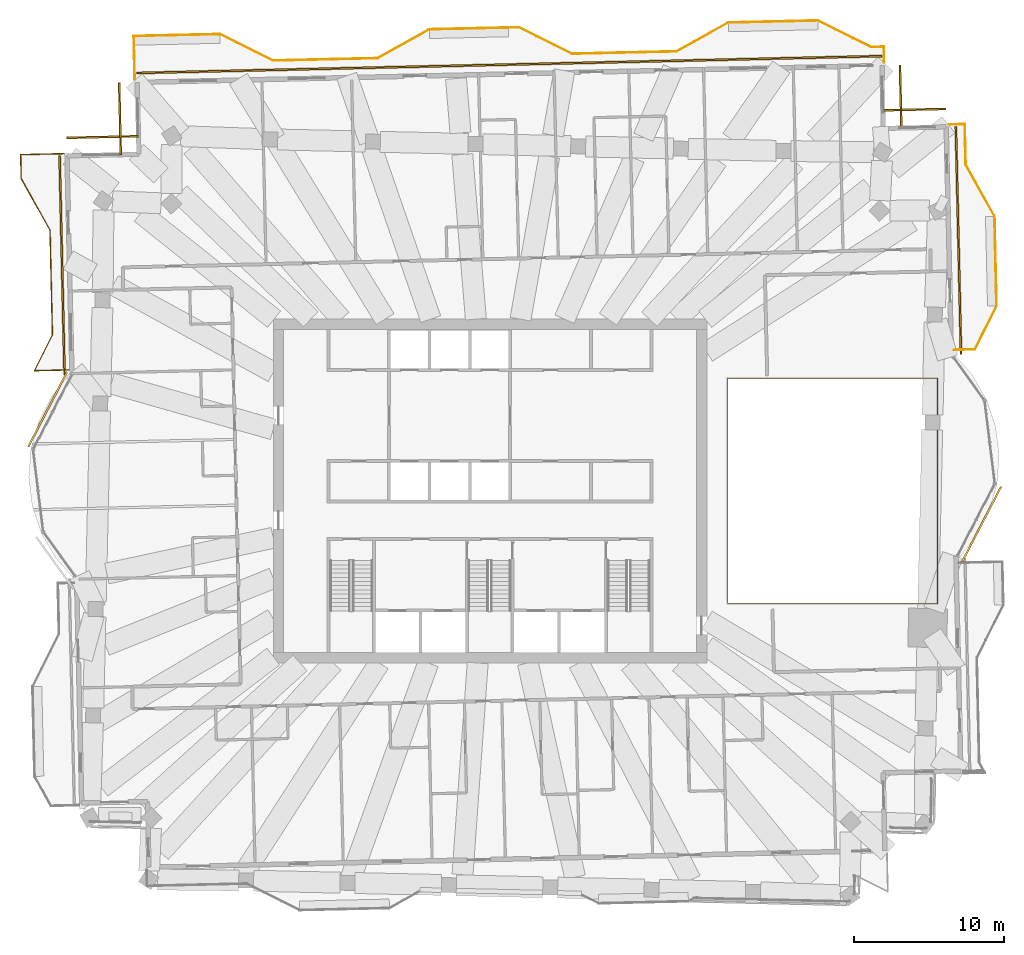
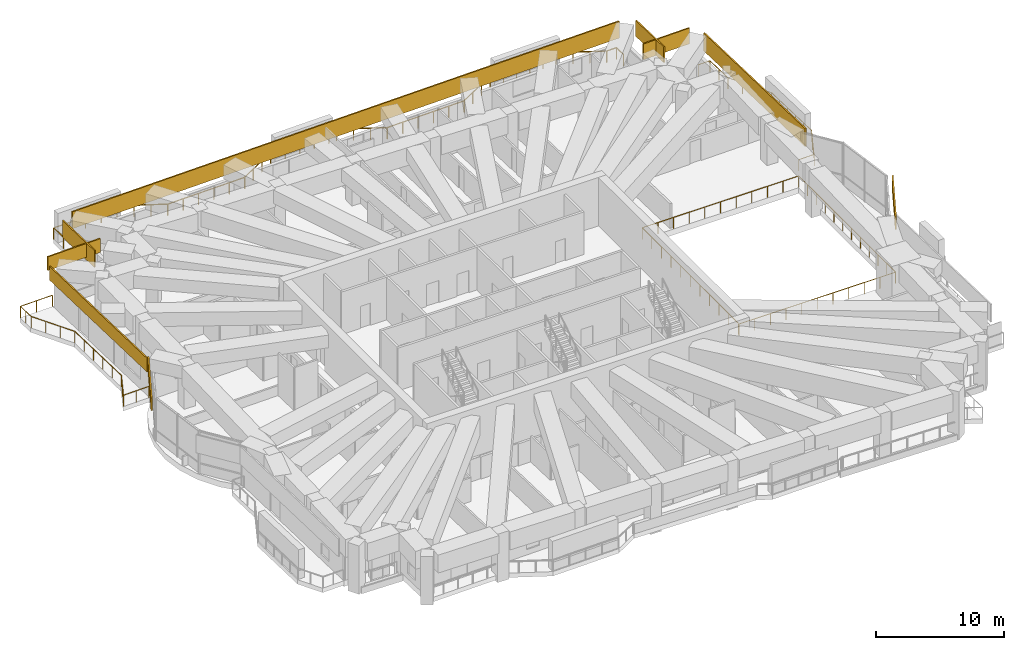
# One storey, part 21 of 21: 9 coverings, 4 railings.
"""IFC4 building model written with IfcOpenShell, lengths in metres."""

from ifc_helpers import new_model, si_unit, direction, frame, frame_2d, origin, origin_2d, place, context, subcontext, project, spatial, rectangle, extrude, material, layer, layer_set, type_object, element, save


model = new_model("IFC4")

# Units and contexts
model_context = context("Model", 3, precision=1e-05, world=origin(), true_north=direction((0.0, 1.0)))
body_context = subcontext(model_context, "Body", "Model", "MODEL_VIEW")
ifc_project = project(units=[si_unit("LENGTHUNIT", "METRE"), si_unit("AREAUNIT", "SQUARE_METRE"), si_unit("VOLUMEUNIT", "CUBIC_METRE"), si_unit("PLANEANGLEUNIT", "RADIAN"), si_unit("MASSUNIT", "GRAM", prefix="KILO")], contexts=[model_context])

# Site, building, storey
site_placement = place(None, origin())
site = spatial("IfcSite", under=ifc_project, at=site_placement, CompositionType="ELEMENT")
building_placement = place(site_placement, origin())
building = spatial("IfcBuilding", under=site, at=building_placement, Name="Mangrove Gate Tower", CompositionType="ELEMENT")
storey_placement = place(building_placement, frame((0.0, 0.0, 275.300048828125)))
storey = spatial("IfcBuildingStorey", under=building, at=storey_placement, Name="L70", CompositionType="ELEMENT", Elevation=275.300048828125)

# Railings
ifc_material_1 = material(Name="Stainless steel grade 316 with laminated glass infill", Category="steel")
railing_type = type_object("IfcRailingType", Name="Balcony guard 1100", PredefinedType="GUARDRAIL", material=ifc_material_1)
railing_1_placement = place(storey_placement, frame((31.0390625, 9.445068359375, 0.0)))
element("IfcRailing", 1, at=railing_1_placement, inside=storey, type_object=railing_type, Name="GUARD L70 E2", PredefinedType="GUARDRAIL", context=body_context, shape_type="SweptSolid", body=[
    extrude(rectangle(XDim=0.048095703125, YDim=0.048095703125, at=origin_2d()), frame((0.0, 0.0, 1.076171875), z_axis=(0.999735358589, 0.023004625325, 0.0), x_axis=(-0.023004625325, 0.999735358589, 0.0)), (0.0, 0.0, 1.0), 1.390380859375),
    extrude(rectangle(XDim=0.048095703125, YDim=0.048095703125, at=origin_2d()), frame((1.389892578125, 0.031982421875, 1.076171875), z_axis=(0.447243631758, 0.894412172241, 0.0), x_axis=(-0.894412172241, 0.447243631758, 0.0)), (0.0, 0.0, 1.0), 3.251220703125),
    extrude(rectangle(XDim=0.048095703125, YDim=0.048095703125, at=origin_2d()), frame((2.843994140625, 2.93994140625, 1.076171875), z_axis=(-0.022662255828, 0.999743178102, 0.0), x_axis=(-0.999743178102, -0.022662255828, 0.0)), (0.0, 0.0, 1.0), 6.00048828125),
    extrude(rectangle(XDim=0.048095703125, YDim=0.048095703125, at=origin_2d()), frame((2.7080078125, 8.93896484375, 1.076171875), z_axis=(-0.48726008209, 0.87325689943, 0.0), x_axis=(-0.87325689943, -0.48726008209, 0.0)), (0.0, 0.0, 1.0), 3.958740234375),
    extrude(rectangle(XDim=0.048095703125, YDim=0.048095703125, at=origin_2d()), frame((0.779052734375, 12.39599609375, 1.076171875), z_axis=(-0.022969966847, 0.999736155505, 0.0), x_axis=(-0.999736155505, -0.022969966847, 0.0)), (0.0, 0.0, 1.0), 2.69970703125),
    extrude(rectangle(XDim=0.048095703125, YDim=0.048095703125, at=origin_2d()), frame((0.717041015625, 15.094970703125, 1.076171875), z_axis=(-0.999744919731, -0.022585293253, 0.0), x_axis=(0.022585293253, -0.999744919731, 0.0)), (0.0, 0.0, 1.0), 1.059326171875),
    extrude(rectangle(XDim=0.0419921875, YDim=0.0419921875, at=origin_2d()), origin(), (0.0, 0.0, 1.0), 1.052001953125),
    extrude(rectangle(XDim=0.0419921875, YDim=0.0419921875, at=origin_2d()), frame((1.389892578125, 0.031982421875, 0.0)), (0.0, 0.0, 1.0), 1.052001953125),
    extrude(rectangle(XDim=0.0419921875, YDim=0.0419921875, at=origin_2d()), frame((1.87451171875, 1.001220703125, 0.0)), (0.0, 0.0, 1.0), 1.052001953125),
    extrude(rectangle(XDim=0.0419921875, YDim=0.0419921875, at=origin_2d()), frame((2.359375, 1.970703125, 0.0)), (0.0, 0.0, 1.0), 1.052001953125),
    extrude(rectangle(XDim=0.0419921875, YDim=0.0419921875, at=origin_2d()), frame((2.843994140625, 2.93994140625, 0.0)), (0.0, 0.0, 1.0), 1.052001953125),
    extrude(rectangle(XDim=0.0419921875, YDim=0.0419921875, at=origin_2d()), frame((2.81689453125, 4.1396484375, 0.0)), (0.0, 0.0, 1.0), 1.052001953125),
    extrude(rectangle(XDim=0.0419921875, YDim=0.0419921875, at=origin_2d()), frame((2.78955078125, 5.339599609375, 0.0)), (0.0, 0.0, 1.0), 1.052001953125),
    extrude(rectangle(XDim=0.0419921875, YDim=0.0419921875, at=origin_2d()), frame((2.762451171875, 6.539306640625, 0.0)), (0.0, 0.0, 1.0), 1.052001953125),
    extrude(rectangle(XDim=0.0419921875, YDim=0.0419921875, at=origin_2d()), frame((2.735107421875, 7.7392578125, 0.0)), (0.0, 0.0, 1.0), 1.052001953125),
    extrude(rectangle(XDim=0.0419921875, YDim=0.0419921875, at=origin_2d()), frame((2.7080078125, 8.93896484375, 0.0)), (0.0, 0.0, 1.0), 1.052001953125),
    extrude(rectangle(XDim=0.0419921875, YDim=0.0419921875, at=origin_2d()), frame((2.06494140625, 10.09130859375, 0.0)), (0.0, 0.0, 1.0), 1.052001953125),
    extrude(rectangle(XDim=0.0419921875, YDim=0.0419921875, at=origin_2d()), frame((1.422119140625, 11.24365234375, 0.0)), (0.0, 0.0, 1.0), 1.052001953125),
    extrude(rectangle(XDim=0.0419921875, YDim=0.0419921875, at=origin_2d()), frame((0.779052734375, 12.39599609375, 0.0)), (0.0, 0.0, 1.0), 1.052001953125),
    extrude(rectangle(XDim=0.0419921875, YDim=0.0419921875, at=origin_2d()), frame((0.748046875, 13.74560546875, 0.0)), (0.0, 0.0, 1.0), 1.052001953125),
    extrude(rectangle(XDim=0.0419921875, YDim=0.0419921875, at=origin_2d()), frame((0.717041015625, 15.094970703125, 0.0)), (0.0, 0.0, 1.0), 1.052001953125),
    extrude(rectangle(XDim=0.0419921875, YDim=0.0419921875, at=origin_2d()), frame((-0.342041015625, 15.071044921875, 0.0)), (0.0, 0.0, 1.0), 1.052001953125),
])
railing_2_placement = place(storey_placement, frame((26.362060546875, 28.658935546875, 0.0)))
element("IfcRailing", 2, at=railing_2_placement, inside=storey, type_object=railing_type, Name="GUARD L70 N1", PredefinedType="GUARDRAIL", context=body_context, shape_type="SweptSolid", body=[
    extrude(rectangle(XDim=0.048095703125, YDim=0.048095703125, at=origin_2d()), frame((0.0, 0.0, 1.076171875), z_axis=(-0.022815636067, 0.999739689495, 0.0), x_axis=(-0.999739689495, -0.022815636067, 0.0)), (0.0, 0.0, 1.0), 1.059326171875),
    extrude(rectangle(XDim=0.048095703125, YDim=0.048095703125, at=origin_2d()), frame((-0.024169921875, 1.05908203125, 1.076171875), z_axis=(-0.999759384705, -0.021935648947, 0.0), x_axis=(0.021935648947, -0.999759384705, 0.0)), (0.0, 0.0, 1.0), 0.8681640625),
    extrude(rectangle(XDim=0.048095703125, YDim=0.048095703125, at=origin_2d()), frame((-0.89208984375, 1.0400390625, 1.076171875), z_axis=(-0.894476522376, 0.447114919141, 0.0), x_axis=(-0.447114919141, -0.894476522376, 0.0)), (0.0, 0.0, 1.0), 3.958740234375),
    extrude(rectangle(XDim=0.048095703125, YDim=0.048095703125, at=origin_2d()), frame((-4.43310546875, 2.81005859375, 1.076171875), z_axis=(-0.999743178102, -0.022662255828, 0.0), x_axis=(0.022662255828, -0.999743178102, 0.0)), (0.0, 0.0, 1.0), 6.00048828125),
    extrude(rectangle(XDim=0.048095703125, YDim=0.048095703125, at=origin_2d()), frame((-10.43212890625, 2.674072265625, 1.076171875), z_axis=(-0.87325689943, -0.48726008209, 0.0), x_axis=(0.48726008209, -0.87325689943, 0.0)), (0.0, 0.0, 1.0), 3.958740234375),
    extrude(rectangle(XDim=0.048095703125, YDim=0.048095703125, at=origin_2d()), frame((-13.88916015625, 0.7451171875, 1.076171875), z_axis=(-0.999742177561, -0.022706351659, 0.0), x_axis=(0.022706351659, -0.999742177561, 0.0)), (0.0, 0.0, 1.0), 6.99951171875),
    extrude(rectangle(XDim=0.048095703125, YDim=0.048095703125, at=origin_2d()), frame((-20.886962890625, 0.586181640625, 1.076171875), z_axis=(-0.894501186021, 0.447065574839, 0.0), x_axis=(-0.447065574839, -0.894501186021, 0.0)), (0.0, 0.0, 1.0), 3.958740234375),
    extrude(rectangle(XDim=0.048095703125, YDim=0.048095703125, at=origin_2d()), frame((-24.427978515625, 2.35595703125, 1.076171875), z_axis=(-0.99974327323, -0.022658058842, 0.0), x_axis=(0.022658058842, -0.99974327323, 0.0)), (0.0, 0.0, 1.0), 0.700439453125),
    extrude(rectangle(XDim=0.048095703125, YDim=0.048095703125, at=origin_2d()), frame((-25.128173828125, 2.340087890625, 1.076171875), z_axis=(-0.999743070872, -0.022666985754, 0.0), x_axis=(0.022666985754, -0.999743070872, 0.0)), (0.0, 0.0, 1.0), 5.29931640625),
    extrude(rectangle(XDim=0.048095703125, YDim=0.048095703125, at=origin_2d()), frame((-30.426025390625, 2.219970703125, 1.076171875), z_axis=(-0.873315448515, -0.487155136876, 0.0), x_axis=(0.487155136876, -0.873315448515, 0.0)), (0.0, 0.0, 1.0), 3.959716796875),
    extrude(rectangle(XDim=0.048095703125, YDim=0.048095703125, at=origin_2d()), frame((-33.884033203125, 0.291015625, 1.076171875), z_axis=(-0.999742195543, -0.022705559911, 0.0), x_axis=(0.022705559911, -0.999742195543, 0.0)), (0.0, 0.0, 1.0), 6.999755859375),
    extrude(rectangle(XDim=0.048095703125, YDim=0.048095703125, at=origin_2d()), frame((-40.882080078125, 0.132080078125, 1.076171875), z_axis=(-0.894476522376, 0.447114919141, 0.0), x_axis=(-0.447114919141, -0.894476522376, 0.0)), (0.0, 0.0, 1.0), 3.958740234375),
    extrude(rectangle(XDim=0.048095703125, YDim=0.048095703125, at=origin_2d()), frame((-44.423095703125, 1.902099609375, 1.076171875), z_axis=(-0.999745428899, -0.022562743515, 0.0), x_axis=(0.022562743515, -0.999745428899, 0.0)), (0.0, 0.0, 1.0), 5.767333984375),
    extrude(rectangle(XDim=0.048095703125, YDim=0.048095703125, at=origin_2d()), frame((-50.18896484375, 1.77197265625, 1.076171875), z_axis=(0.02231175287, -0.999751061857, 0.0), x_axis=(0.999751061857, 0.02231175287, 0.0)), (0.0, 0.0, 1.0), 2.91064453125),
    extrude(rectangle(XDim=0.0419921875, YDim=0.0419921875, at=origin_2d()), origin(), (0.0, 0.0, 1.0), 1.052001953125),
    extrude(rectangle(XDim=0.0419921875, YDim=0.0419921875, at=origin_2d()), frame((-0.024169921875, 1.05908203125, 0.0)), (0.0, 0.0, 1.0), 1.052001953125),
    extrude(rectangle(XDim=0.0419921875, YDim=0.0419921875, at=origin_2d()), frame((-0.89208984375, 1.0400390625, 0.0)), (0.0, 0.0, 1.0), 1.052001953125),
    extrude(rectangle(XDim=0.0419921875, YDim=0.0419921875, at=origin_2d()), frame((-2.072509765625, 1.630126953125, 0.0)), (0.0, 0.0, 1.0), 1.052001953125),
    extrude(rectangle(XDim=0.0419921875, YDim=0.0419921875, at=origin_2d()), frame((-3.252685546875, 2.219970703125, 0.0)), (0.0, 0.0, 1.0), 1.052001953125),
    extrude(rectangle(XDim=0.0419921875, YDim=0.0419921875, at=origin_2d()), frame((-4.43310546875, 2.81005859375, 0.0)), (0.0, 0.0, 1.0), 1.052001953125),
    extrude(rectangle(XDim=0.0419921875, YDim=0.0419921875, at=origin_2d()), frame((-5.6328125, 2.782958984375, 0.0)), (0.0, 0.0, 1.0), 1.052001953125),
    extrude(rectangle(XDim=0.0419921875, YDim=0.0419921875, at=origin_2d()), frame((-6.832763671875, 2.755615234375, 0.0)), (0.0, 0.0, 1.0), 1.052001953125),
    extrude(rectangle(XDim=0.0419921875, YDim=0.0419921875, at=origin_2d()), frame((-8.032470703125, 2.728515625, 0.0)), (0.0, 0.0, 1.0), 1.052001953125),
    extrude(rectangle(XDim=0.0419921875, YDim=0.0419921875, at=origin_2d()), frame((-9.232421875, 2.701171875, 0.0)), (0.0, 0.0, 1.0), 1.052001953125),
    extrude(rectangle(XDim=0.0419921875, YDim=0.0419921875, at=origin_2d()), frame((-10.43212890625, 2.674072265625, 0.0)), (0.0, 0.0, 1.0), 1.052001953125),
    extrude(rectangle(XDim=0.0419921875, YDim=0.0419921875, at=origin_2d()), frame((-11.58447265625, 2.031005859375, 0.0)), (0.0, 0.0, 1.0), 1.052001953125),
    extrude(rectangle(XDim=0.0419921875, YDim=0.0419921875, at=origin_2d()), frame((-12.73681640625, 1.38818359375, 0.0)), (0.0, 0.0, 1.0), 1.052001953125),
    extrude(rectangle(XDim=0.0419921875, YDim=0.0419921875, at=origin_2d()), frame((-13.88916015625, 0.7451171875, 0.0)), (0.0, 0.0, 1.0), 1.052001953125),
    extrude(rectangle(XDim=0.0419921875, YDim=0.0419921875, at=origin_2d()), frame((-15.288818359375, 0.71337890625, 0.0)), (0.0, 0.0, 1.0), 1.052001953125),
    extrude(rectangle(XDim=0.0419921875, YDim=0.0419921875, at=origin_2d()), frame((-16.688232421875, 0.681640625, 0.0)), (0.0, 0.0, 1.0), 1.052001953125),
    extrude(rectangle(XDim=0.0419921875, YDim=0.0419921875, at=origin_2d()), frame((-18.087890625, 0.649658203125, 0.0)), (0.0, 0.0, 1.0), 1.052001953125),
    extrude(rectangle(XDim=0.0419921875, YDim=0.0419921875, at=origin_2d()), frame((-19.4873046875, 0.617919921875, 0.0)), (0.0, 0.0, 1.0), 1.052001953125),
    extrude(rectangle(XDim=0.0419921875, YDim=0.0419921875, at=origin_2d()), frame((-20.886962890625, 0.586181640625, 0.0)), (0.0, 0.0, 1.0), 1.052001953125),
    extrude(rectangle(XDim=0.0419921875, YDim=0.0419921875, at=origin_2d()), frame((-22.0673828125, 1.176025390625, 0.0)), (0.0, 0.0, 1.0), 1.052001953125),
    extrude(rectangle(XDim=0.0419921875, YDim=0.0419921875, at=origin_2d()), frame((-23.24755859375, 1.76611328125, 0.0)), (0.0, 0.0, 1.0), 1.052001953125),
    extrude(rectangle(XDim=0.0419921875, YDim=0.0419921875, at=origin_2d()), frame((-24.427978515625, 2.35595703125, 0.0)), (0.0, 0.0, 1.0), 1.052001953125),
    extrude(rectangle(XDim=0.0419921875, YDim=0.0419921875, at=origin_2d()), frame((-25.128173828125, 2.340087890625, 0.0)), (0.0, 0.0, 1.0), 1.052001953125),
    extrude(rectangle(XDim=0.0419921875, YDim=0.0419921875, at=origin_2d()), frame((-26.45263671875, 2.31005859375, 0.0)), (0.0, 0.0, 1.0), 1.052001953125),
    extrude(rectangle(XDim=0.0419921875, YDim=0.0419921875, at=origin_2d()), frame((-27.777099609375, 2.280029296875, 0.0)), (0.0, 0.0, 1.0), 1.052001953125),
    extrude(rectangle(XDim=0.0419921875, YDim=0.0419921875, at=origin_2d()), frame((-29.1015625, 2.25, 0.0)), (0.0, 0.0, 1.0), 1.052001953125),
    extrude(rectangle(XDim=0.0419921875, YDim=0.0419921875, at=origin_2d()), frame((-30.426025390625, 2.219970703125, 0.0)), (0.0, 0.0, 1.0), 1.052001953125),
    extrude(rectangle(XDim=0.0419921875, YDim=0.0419921875, at=origin_2d()), frame((-31.57861328125, 1.576904296875, 0.0)), (0.0, 0.0, 1.0), 1.052001953125),
    extrude(rectangle(XDim=0.0419921875, YDim=0.0419921875, at=origin_2d()), frame((-32.7314453125, 0.93408203125, 0.0)), (0.0, 0.0, 1.0), 1.052001953125),
    extrude(rectangle(XDim=0.0419921875, YDim=0.0419921875, at=origin_2d()), frame((-33.884033203125, 0.291015625, 0.0)), (0.0, 0.0, 1.0), 1.052001953125),
    extrude(rectangle(XDim=0.0419921875, YDim=0.0419921875, at=origin_2d()), frame((-35.28369140625, 0.25927734375, 0.0)), (0.0, 0.0, 1.0), 1.052001953125),
    extrude(rectangle(XDim=0.0419921875, YDim=0.0419921875, at=origin_2d()), frame((-36.683349609375, 0.2275390625, 0.0)), (0.0, 0.0, 1.0), 1.052001953125),
    extrude(rectangle(XDim=0.0419921875, YDim=0.0419921875, at=origin_2d()), frame((-38.082763671875, 0.195556640625, 0.0)), (0.0, 0.0, 1.0), 1.052001953125),
    extrude(rectangle(XDim=0.0419921875, YDim=0.0419921875, at=origin_2d()), frame((-39.482421875, 0.163818359375, 0.0)), (0.0, 0.0, 1.0), 1.052001953125),
    extrude(rectangle(XDim=0.0419921875, YDim=0.0419921875, at=origin_2d()), frame((-40.882080078125, 0.132080078125, 0.0)), (0.0, 0.0, 1.0), 1.052001953125),
    extrude(rectangle(XDim=0.0419921875, YDim=0.0419921875, at=origin_2d()), frame((-42.0625, 0.72216796875, 0.0)), (0.0, 0.0, 1.0), 1.052001953125),
    extrude(rectangle(XDim=0.0419921875, YDim=0.0419921875, at=origin_2d()), frame((-43.24267578125, 1.31201171875, 0.0)), (0.0, 0.0, 1.0), 1.052001953125),
    extrude(rectangle(XDim=0.0419921875, YDim=0.0419921875, at=origin_2d()), frame((-44.423095703125, 1.902099609375, 0.0)), (0.0, 0.0, 1.0), 1.052001953125),
    extrude(rectangle(XDim=0.0419921875, YDim=0.0419921875, at=origin_2d()), frame((-45.864501953125, 1.86962890625, 0.0)), (0.0, 0.0, 1.0), 1.052001953125),
    extrude(rectangle(XDim=0.0419921875, YDim=0.0419921875, at=origin_2d()), frame((-47.30615234375, 1.8369140625, 0.0)), (0.0, 0.0, 1.0), 1.052001953125),
    extrude(rectangle(XDim=0.0419921875, YDim=0.0419921875, at=origin_2d()), frame((-48.74755859375, 1.804443359375, 0.0)), (0.0, 0.0, 1.0), 1.052001953125),
    extrude(rectangle(XDim=0.0419921875, YDim=0.0419921875, at=origin_2d()), frame((-50.18896484375, 1.77197265625, 0.0)), (0.0, 0.0, 1.0), 1.052001953125),
    extrude(rectangle(XDim=0.0419921875, YDim=0.0419921875, at=origin_2d()), frame((-50.156494140625, 0.31689453125, 0.0)), (0.0, 0.0, 1.0), 1.052001953125),
    extrude(rectangle(XDim=0.0419921875, YDim=0.0419921875, at=origin_2d()), frame((-50.1240234375, -1.137939453125, 0.0)), (0.0, 0.0, 1.0), 1.052001953125),
])
railing_3_placement = place(storey_placement, frame((-28.489990234375, 22.572998046875, 0.0)))
element("IfcRailing", 3, at=railing_3_placement, inside=storey, type_object=railing_type, Name="GUARD L70 W1", PredefinedType="GUARDRAIL", context=body_context, shape_type="SweptSolid", body=[
    extrude(rectangle(XDim=0.048095703125, YDim=0.048095703125, at=origin_2d()), frame((0.0, 0.0, 1.076171875), z_axis=(-0.999743521605, -0.022647097142, 0.0), x_axis=(0.022647097142, -0.999743521605, 0.0)), (0.0, 0.0, 1.0), 2.91064453125),
    extrude(rectangle(XDim=0.048095703125, YDim=0.048095703125, at=origin_2d()), frame((-2.909912109375, -0.06591796875, 1.076171875), z_axis=(0.023033252917, -0.999734699438, 0.0), x_axis=(0.999734699438, 0.023033252917, 0.0)), (0.0, 0.0, 1.0), 1.6005859375),
    extrude(rectangle(XDim=0.048095703125, YDim=0.048095703125, at=origin_2d()), frame((-2.873046875, -1.666015625, 1.076171875), z_axis=(0.48726008209, -0.87325689943, 0.0), x_axis=(0.87325689943, 0.48726008209, 0.0)), (0.0, 0.0, 1.0), 3.958740234375),
    extrude(rectangle(XDim=0.048095703125, YDim=0.048095703125, at=origin_2d()), frame((-0.944091796875, -5.123046875, 1.076171875), z_axis=(0.022600979566, -0.999744565238, 0.0), x_axis=(0.999744565238, 0.022600979566, 0.0)), (0.0, 0.0, 1.0), 6.999755859375),
    extrude(rectangle(XDim=0.048095703125, YDim=0.048095703125, at=origin_2d()), frame((-0.785888671875, -12.12109375, 1.076171875), z_axis=(-0.447140888187, -0.894463540963, 0.0), x_axis=(0.894463540963, -0.447140888187, 0.0)), (0.0, 0.0, 1.0), 2.686279296875),
    extrude(rectangle(XDim=0.048095703125, YDim=0.048095703125, at=origin_2d()), frame((-1.987060546875, -14.52392578125, 1.076171875), z_axis=(0.999738230516, 0.022879476484, 0.0), x_axis=(-0.022879476484, 0.999738230516, 0.0)), (0.0, 0.0, 1.0), 2.3154296875),
    extrude(rectangle(XDim=0.0419921875, YDim=0.0419921875, at=origin_2d()), origin(), (0.0, 0.0, 1.0), 1.052001953125),
    extrude(rectangle(XDim=0.0419921875, YDim=0.0419921875, at=origin_2d()), frame((-1.455078125, -0.032958984375, 0.0)), (0.0, 0.0, 1.0), 1.052001953125),
    extrude(rectangle(XDim=0.0419921875, YDim=0.0419921875, at=origin_2d()), frame((-2.909912109375, -0.06591796875, 0.0)), (0.0, 0.0, 1.0), 1.052001953125),
    extrude(rectangle(XDim=0.0419921875, YDim=0.0419921875, at=origin_2d()), frame((-2.8916015625, -0.865966796875, 0.0)), (0.0, 0.0, 1.0), 1.052001953125),
    extrude(rectangle(XDim=0.0419921875, YDim=0.0419921875, at=origin_2d()), frame((-2.873046875, -1.666015625, 0.0)), (0.0, 0.0, 1.0), 1.052001953125),
    extrude(rectangle(XDim=0.0419921875, YDim=0.0419921875, at=origin_2d()), frame((-2.22998046875, -2.818359375, 0.0)), (0.0, 0.0, 1.0), 1.052001953125),
    extrude(rectangle(XDim=0.0419921875, YDim=0.0419921875, at=origin_2d()), frame((-1.587158203125, -3.970703125, 0.0)), (0.0, 0.0, 1.0), 1.052001953125),
    extrude(rectangle(XDim=0.0419921875, YDim=0.0419921875, at=origin_2d()), frame((-0.944091796875, -5.123046875, 0.0)), (0.0, 0.0, 1.0), 1.052001953125),
    extrude(rectangle(XDim=0.0419921875, YDim=0.0419921875, at=origin_2d()), frame((-0.912353515625, -6.522705078125, 0.0)), (0.0, 0.0, 1.0), 1.052001953125),
    extrude(rectangle(XDim=0.0419921875, YDim=0.0419921875, at=origin_2d()), frame((-0.880859375, -7.92236328125, 0.0)), (0.0, 0.0, 1.0), 1.052001953125),
    extrude(rectangle(XDim=0.0419921875, YDim=0.0419921875, at=origin_2d()), frame((-0.84912109375, -9.32177734375, 0.0)), (0.0, 0.0, 1.0), 1.052001953125),
    extrude(rectangle(XDim=0.0419921875, YDim=0.0419921875, at=origin_2d()), frame((-0.817626953125, -10.721435546875, 0.0)), (0.0, 0.0, 1.0), 1.052001953125),
    extrude(rectangle(XDim=0.0419921875, YDim=0.0419921875, at=origin_2d()), frame((-0.785888671875, -12.12109375, 0.0)), (0.0, 0.0, 1.0), 1.052001953125),
    extrude(rectangle(XDim=0.0419921875, YDim=0.0419921875, at=origin_2d()), frame((-1.386474609375, -13.322509765625, 0.0)), (0.0, 0.0, 1.0), 1.052001953125),
    extrude(rectangle(XDim=0.0419921875, YDim=0.0419921875, at=origin_2d()), frame((-1.987060546875, -14.52392578125, 0.0)), (0.0, 0.0, 1.0), 1.052001953125),
    extrude(rectangle(XDim=0.0419921875, YDim=0.0419921875, at=origin_2d()), frame((-0.82958984375, -14.49755859375, 0.0)), (0.0, 0.0, 1.0), 1.052001953125),
    extrude(rectangle(XDim=0.0419921875, YDim=0.0419921875, at=origin_2d()), frame((0.327880859375, -14.470947265625, 0.0)), (0.0, 0.0, 1.0), 1.052001953125),
])
railing_4_placement = place(storey_placement, frame((15.860107421875, -7.5400390625, 0.0)))
element("IfcRailing", 4, at=railing_4_placement, inside=storey, type_object=railing_type, Name="GUARD L70 atrium", PredefinedType="GUARDRAIL", context=body_context, shape_type="SweptSolid", body=[
    extrude(rectangle(XDim=0.048095703125, YDim=0.048095703125, at=origin_2d()), frame((0.0, 0.0, 1.076171875), z_axis=(1.0, 0.0, 0.0), x_axis=(0.0, 1.0, 0.0)), (0.0, 0.0, 1.0), 14.06982421875),
    extrude(rectangle(XDim=0.048095703125, YDim=0.048095703125, at=origin_2d()), frame((14.06982421875, 0.0, 1.076171875), z_axis=(0.0, 1.0, 0.0), x_axis=(-1.0, 0.0, 0.0)), (0.0, 0.0, 1.0), 15.080078125),
    extrude(rectangle(XDim=0.048095703125, YDim=0.048095703125, at=origin_2d()), frame((14.06982421875, 15.080078125, 1.076171875), z_axis=(-1.0, 0.0, 0.0), x_axis=(0.0, -1.0, 0.0)), (0.0, 0.0, 1.0), 14.06982421875),
    extrude(rectangle(XDim=0.048095703125, YDim=0.048095703125, at=origin_2d()), frame((0.0, 15.080078125, 1.076171875), z_axis=(0.0, -1.0, 0.0), x_axis=(1.0, 0.0, 0.0)), (0.0, 0.0, 1.0), 14.9599609375),
    extrude(rectangle(XDim=0.0419921875, YDim=0.0419921875, at=origin_2d()), origin(), (0.0, 0.0, 1.0), 1.052001953125),
    extrude(rectangle(XDim=0.0419921875, YDim=0.0419921875, at=origin_2d()), frame((1.406982421875, 0.0, 0.0)), (0.0, 0.0, 1.0), 1.052001953125),
    extrude(rectangle(XDim=0.0419921875, YDim=0.0419921875, at=origin_2d()), frame((2.81396484375, 0.0, 0.0)), (0.0, 0.0, 1.0), 1.052001953125),
    extrude(rectangle(XDim=0.0419921875, YDim=0.0419921875, at=origin_2d()), frame((4.220947265625, 0.0, 0.0)), (0.0, 0.0, 1.0), 1.052001953125),
    extrude(rectangle(XDim=0.0419921875, YDim=0.0419921875, at=origin_2d()), frame((5.6279296875, 0.0, 0.0)), (0.0, 0.0, 1.0), 1.052001953125),
    extrude(rectangle(XDim=0.0419921875, YDim=0.0419921875, at=origin_2d()), frame((7.034912109375, 0.0, 0.0)), (0.0, 0.0, 1.0), 1.052001953125),
    extrude(rectangle(XDim=0.0419921875, YDim=0.0419921875, at=origin_2d()), frame((8.44189453125, 0.0, 0.0)), (0.0, 0.0, 1.0), 1.052001953125),
    extrude(rectangle(XDim=0.0419921875, YDim=0.0419921875, at=origin_2d()), frame((9.848876953125, 0.0, 0.0)), (0.0, 0.0, 1.0), 1.052001953125),
    extrude(rectangle(XDim=0.0419921875, YDim=0.0419921875, at=origin_2d()), frame((11.255859375, 0.0, 0.0)), (0.0, 0.0, 1.0), 1.052001953125),
    extrude(rectangle(XDim=0.0419921875, YDim=0.0419921875, at=origin_2d()), frame((12.662841796875, 0.0, 0.0)), (0.0, 0.0, 1.0), 1.052001953125),
    extrude(rectangle(XDim=0.0419921875, YDim=0.0419921875, at=origin_2d()), frame((14.06982421875, 0.0, 0.0)), (0.0, 0.0, 1.0), 1.052001953125),
    extrude(rectangle(XDim=0.0419921875, YDim=0.0419921875, at=origin_2d()), frame((14.06982421875, 1.370849609375, 0.0)), (0.0, 0.0, 1.0), 1.052001953125),
    extrude(rectangle(XDim=0.0419921875, YDim=0.0419921875, at=origin_2d()), frame((14.06982421875, 2.741943359375, 0.0)), (0.0, 0.0, 1.0), 1.052001953125),
    extrude(rectangle(XDim=0.0419921875, YDim=0.0419921875, at=origin_2d()), frame((14.06982421875, 4.11279296875, 0.0)), (0.0, 0.0, 1.0), 1.052001953125),
    extrude(rectangle(XDim=0.0419921875, YDim=0.0419921875, at=origin_2d()), frame((14.06982421875, 5.483642578125, 0.0)), (0.0, 0.0, 1.0), 1.052001953125),
    extrude(rectangle(XDim=0.0419921875, YDim=0.0419921875, at=origin_2d()), frame((14.06982421875, 6.8544921875, 0.0)), (0.0, 0.0, 1.0), 1.052001953125),
    extrude(rectangle(XDim=0.0419921875, YDim=0.0419921875, at=origin_2d()), frame((14.06982421875, 8.2255859375, 0.0)), (0.0, 0.0, 1.0), 1.052001953125),
    extrude(rectangle(XDim=0.0419921875, YDim=0.0419921875, at=origin_2d()), frame((14.06982421875, 9.596435546875, 0.0)), (0.0, 0.0, 1.0), 1.052001953125),
    extrude(rectangle(XDim=0.0419921875, YDim=0.0419921875, at=origin_2d()), frame((14.06982421875, 10.96728515625, 0.0)), (0.0, 0.0, 1.0), 1.052001953125),
    extrude(rectangle(XDim=0.0419921875, YDim=0.0419921875, at=origin_2d()), frame((14.06982421875, 12.338134765625, 0.0)), (0.0, 0.0, 1.0), 1.052001953125),
    extrude(rectangle(XDim=0.0419921875, YDim=0.0419921875, at=origin_2d()), frame((14.06982421875, 13.709228515625, 0.0)), (0.0, 0.0, 1.0), 1.052001953125),
    extrude(rectangle(XDim=0.0419921875, YDim=0.0419921875, at=origin_2d()), frame((14.06982421875, 15.080078125, 0.0)), (0.0, 0.0, 1.0), 1.052001953125),
    extrude(rectangle(XDim=0.0419921875, YDim=0.0419921875, at=origin_2d()), frame((12.662841796875, 15.080078125, 0.0)), (0.0, 0.0, 1.0), 1.052001953125),
    extrude(rectangle(XDim=0.0419921875, YDim=0.0419921875, at=origin_2d()), frame((11.255859375, 15.080078125, 0.0)), (0.0, 0.0, 1.0), 1.052001953125),
    extrude(rectangle(XDim=0.0419921875, YDim=0.0419921875, at=origin_2d()), frame((9.848876953125, 15.080078125, 0.0)), (0.0, 0.0, 1.0), 1.052001953125),
    extrude(rectangle(XDim=0.0419921875, YDim=0.0419921875, at=origin_2d()), frame((8.44189453125, 15.080078125, 0.0)), (0.0, 0.0, 1.0), 1.052001953125),
    extrude(rectangle(XDim=0.0419921875, YDim=0.0419921875, at=origin_2d()), frame((7.034912109375, 15.080078125, 0.0)), (0.0, 0.0, 1.0), 1.052001953125),
    extrude(rectangle(XDim=0.0419921875, YDim=0.0419921875, at=origin_2d()), frame((5.6279296875, 15.080078125, 0.0)), (0.0, 0.0, 1.0), 1.052001953125),
    extrude(rectangle(XDim=0.0419921875, YDim=0.0419921875, at=origin_2d()), frame((4.220947265625, 15.080078125, 0.0)), (0.0, 0.0, 1.0), 1.052001953125),
    extrude(rectangle(XDim=0.0419921875, YDim=0.0419921875, at=origin_2d()), frame((2.81396484375, 15.080078125, 0.0)), (0.0, 0.0, 1.0), 1.052001953125),
    extrude(rectangle(XDim=0.0419921875, YDim=0.0419921875, at=origin_2d()), frame((1.406982421875, 15.080078125, 0.0)), (0.0, 0.0, 1.0), 1.052001953125),
    extrude(rectangle(XDim=0.0419921875, YDim=0.0419921875, at=origin_2d()), frame((0.0, 15.080078125, 0.0)), (0.0, 0.0, 1.0), 1.052001953125),
    extrude(rectangle(XDim=0.0419921875, YDim=0.0419921875, at=origin_2d()), frame((0.0, 13.583984375, 0.0)), (0.0, 0.0, 1.0), 1.052001953125),
    extrude(rectangle(XDim=0.0419921875, YDim=0.0419921875, at=origin_2d()), frame((0.0, 12.088134765625, 0.0)), (0.0, 0.0, 1.0), 1.052001953125),
    extrude(rectangle(XDim=0.0419921875, YDim=0.0419921875, at=origin_2d()), frame((0.0, 10.592041015625, 0.0)), (0.0, 0.0, 1.0), 1.052001953125),
    extrude(rectangle(XDim=0.0419921875, YDim=0.0419921875, at=origin_2d()), frame((0.0, 9.09619140625, 0.0)), (0.0, 0.0, 1.0), 1.052001953125),
    extrude(rectangle(XDim=0.0419921875, YDim=0.0419921875, at=origin_2d()), frame((0.0, 7.60009765625, 0.0)), (0.0, 0.0, 1.0), 1.052001953125),
    extrude(rectangle(XDim=0.0419921875, YDim=0.0419921875, at=origin_2d()), frame((0.0, 6.10400390625, 0.0)), (0.0, 0.0, 1.0), 1.052001953125),
    extrude(rectangle(XDim=0.0419921875, YDim=0.0419921875, at=origin_2d()), frame((0.0, 4.608154296875, 0.0)), (0.0, 0.0, 1.0), 1.052001953125),
    extrude(rectangle(XDim=0.0419921875, YDim=0.0419921875, at=origin_2d()), frame((0.0, 3.112060546875, 0.0)), (0.0, 0.0, 1.0), 1.052001953125),
    extrude(rectangle(XDim=0.0419921875, YDim=0.0419921875, at=origin_2d()), frame((0.0, 1.6162109375, 0.0)), (0.0, 0.0, 1.0), 1.052001953125),
    extrude(rectangle(XDim=0.0419921875, YDim=0.0419921875, at=origin_2d()), frame((0.0, 0.1201171875, 0.0)), (0.0, 0.0, 1.0), 1.052001953125),
])

# Coverings
ifc_material_2 = material(Name="Limestone", Category="masonry")
ifc_layer_1 = layer(ifc_material_2, 0.0400390625, Name="Limestone cladding")
ifc_material_3 = material(Name="Stainless steel anchors and cavity", Category="steel")
ifc_layer_2 = layer(ifc_material_3, 0.080078125, Name="Fixing cavity")
ifc_layer_set = layer_set([ifc_layer_1, ifc_layer_2], Name="Joint fascia cladding 120")
covering_type = type_object("IfcCoveringType", Name="Joint fascia cladding 120", PredefinedType="CLADDING", material=ifc_layer_set)
covering_1_placement = place(storey_placement, frame((31.580078125, -4.717041015625, 2.849853515625), z_axis=(0.0, 0.0, 1.0), x_axis=(0.460611423394, 0.887601890849, 0.0)))
element("IfcCovering", 5, at=covering_1_placement, inside=storey, type_object=covering_type, Name="STONE FASCIA L70 E1.L1", PredefinedType="CLADDING", context=body_context, shape_type="SweptSolid", body=[
    extrude(rectangle(XDim=5.642333984375, YDim=0.1201171875, at=frame_2d((2.8212890625, 0.0))), origin(), (0.0, 0.0, 1.0), 1.2001953125),
])
covering_2_placement = place(storey_placement, frame((31.5009765625, 9.15087890625, 2.349853515625), z_axis=(0.0, 0.0, 1.0), x_axis=(-0.022716307128, 0.999741951401, 0.0)))
element("IfcCovering", 6, at=covering_2_placement, inside=storey, type_object=covering_type, Name="STONE FASCIA L70 E2.1", PredefinedType="CLADDING", context=body_context, shape_type="SweptSolid", body=[
    extrude(rectangle(XDim=15.22900390625, YDim=0.1201171875, at=frame_2d((7.614501953125, 0.0))), origin(), (0.0, 0.0, 1.0), 1.7001953125),
])
for number, where, z_axis, x_axis, name in (
    (7, (30.48291015625, 25.56103515625, 2.550048828125), (0.0, 0.0, 1.0), (-0.999744320311, -0.022611811187, 0.0), "STONE FASCIA L70 N3.1"),
    (8, (27.510986328125, 24.2939453125, 2.550048828125), (0.0, 0.0, 1.0), (-0.022611811187, 0.999744320311, 0.0), "STONE FASCIA L70 E4.1"),
):
    element("IfcCovering", number, at=place(storey_placement, frame(where, z_axis=z_axis, x_axis=x_axis)), inside=storey, type_object=covering_type, Name=name, PredefinedType="CLADDING", context=body_context, shape_type="SweptSolid", body=[
        extrude(rectangle(XDim=4.199951171875, YDim=0.1201171875, at=frame_2d((2.10009765625, 0.0))), origin(), (0.0, 0.0, 1.0), 1.5),
    ])
covering_3_placement = place(storey_placement, frame((26.201904296875, 29.093994140625, 2.449951171875), z_axis=(0.0, 0.0, 1.0), x_axis=(-0.99974239923, -0.022696589664, 0.0)))
element("IfcCovering", 9, at=covering_3_placement, inside=storey, type_object=covering_type, Name="STONE FASCIA L70 N5.1", PredefinedType="CLADDING", context=body_context, shape_type="SweptSolid", body=[
    extrude(rectangle(XDim=49.8359375, YDim=0.1201171875, at=frame_2d((24.91796875, 0.0))), origin(), (0.0, 0.0, 1.0), 1.60009765625),
])
covering_4_placement = place(storey_placement, frame((-24.806884765625, 27.30810546875, 2.449951171875), z_axis=(0.0, 0.0, 1.0), x_axis=(0.022683280499, -0.999742701292, 0.0)))
element("IfcCovering", 10, at=covering_4_placement, inside=storey, type_object=covering_type, Name="STONE FASCIA L70 W6.1", PredefinedType="CLADDING", context=body_context, shape_type="SweptSolid", body=[
    extrude(rectangle(XDim=4.80029296875, YDim=0.1201171875, at=frame_2d((2.400146484375, 0.0))), origin(), (0.0, 0.0, 1.0), 1.60009765625),
])
covering_5_placement = place(storey_placement, frame((-23.52587890625, 23.736083984375, 2.75), z_axis=(0.0, 0.0, 1.0), x_axis=(-0.999741441463, -0.022738738327, 0.0)))
element("IfcCovering", 11, at=covering_5_placement, inside=storey, type_object=covering_type, Name="STONE FASCIA L70 N7.1", PredefinedType="CLADDING", context=body_context, shape_type="SweptSolid", body=[
    extrude(rectangle(XDim=4.79931640625, YDim=0.1201171875, at=frame_2d((2.399658203125, 0.0))), origin(), (0.0, 0.0, 1.0), 1.300048828125),
])
covering_6_placement = place(storey_placement, frame((-28.7919921875, 22.416015625, 2.75), z_axis=(0.0, 0.0, 1.0), x_axis=(0.022695628174, -0.999742421057, 0.0)))
element("IfcCovering", 12, at=covering_6_placement, inside=storey, type_object=covering_type, Name="STONE FASCIA L70 W8.1", PredefinedType="CLADDING", context=body_context, shape_type="SweptSolid", body=[
    extrude(rectangle(XDim=14.629638671875, YDim=0.1201171875, at=frame_2d((7.31494140625, 0.0))), origin(), (0.0, 0.0, 1.0), 1.300048828125),
])
covering_7_placement = place(storey_placement, frame((-28.2890625, 7.969970703125, 2.849853515625), z_axis=(0.0, 0.0, 1.0), x_axis=(-0.460611423394, -0.887601890849, 0.0)))
element("IfcCovering", 13, at=covering_7_placement, inside=storey, type_object=covering_type, Name="STONE FASCIA L70 W9.L1", PredefinedType="CLADDING", context=body_context, shape_type="SweptSolid", body=[
    extrude(rectangle(XDim=5.642333984375, YDim=0.1201171875, at=frame_2d((2.8212890625, 0.0))), origin(), (0.0, 0.0, 1.0), 1.2001953125),
])

save(model, "model.ifc")
